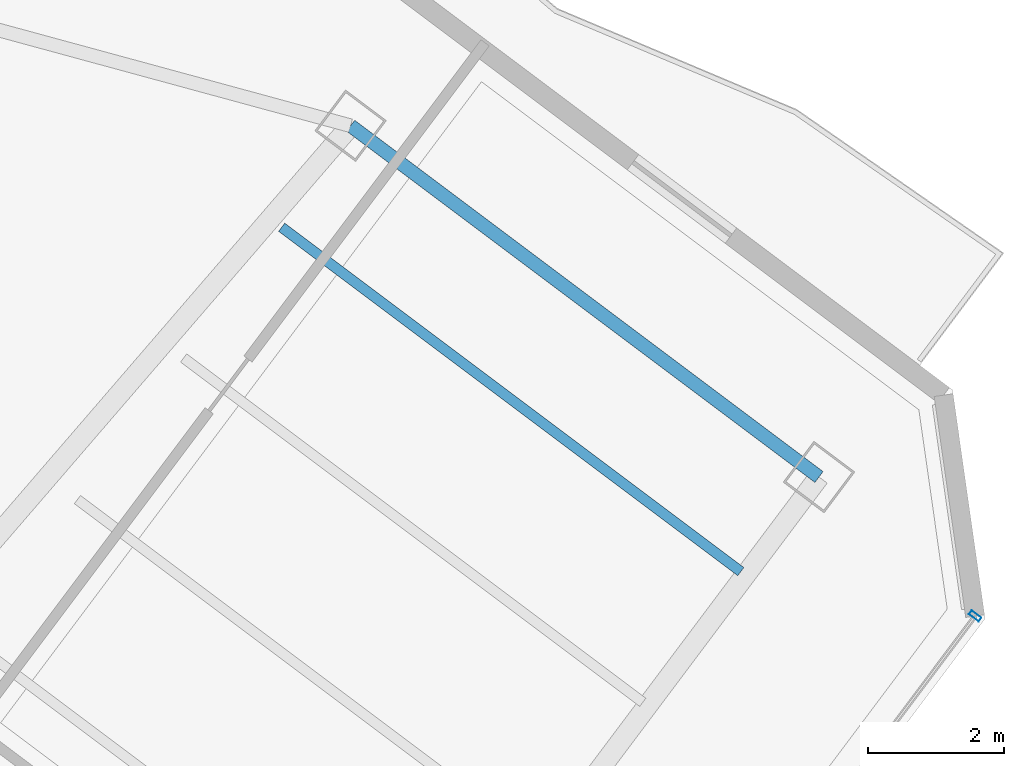
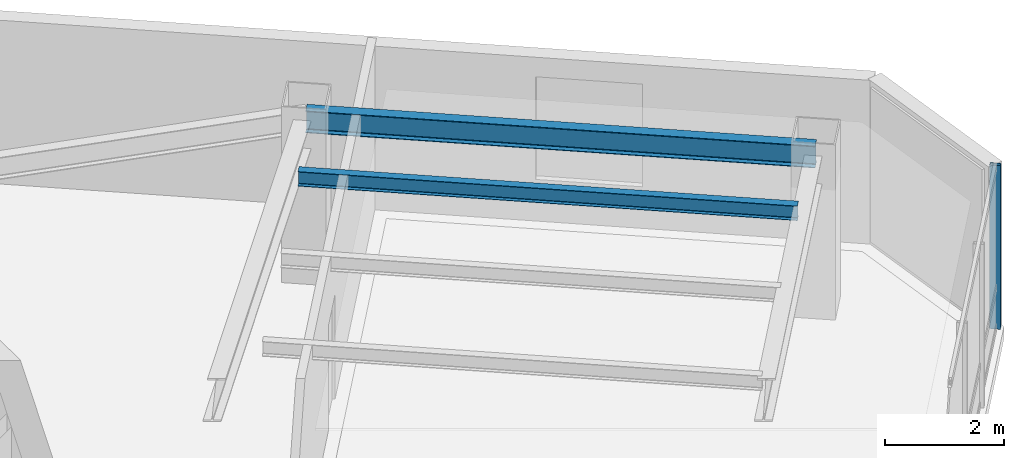
# One storey, part 14 of 24: 2 beams, 1 member, 1 element without a shape of its own.
"""IFC4 building model written with IfcOpenShell, lengths in metres."""

from ifc_helpers import new_model, si_unit, direction, frame, origin, origin_2d, place, context, subcontext, project, spatial, hollow_rectangle, i_section, extrude, material, layer, layer_set, material_profile, profile_set, type_object, element, aggregate, save


model = new_model("IFC4")

# Units and contexts
model_context = context("Model", 3, precision=1e-05, world=origin(), true_north=direction((0.0, 1.0)))
body_context = subcontext(model_context, "Body", "Model", "MODEL_VIEW")
ifc_project = project(units=[si_unit("LENGTHUNIT", "METRE"), si_unit("AREAUNIT", "SQUARE_METRE"), si_unit("VOLUMEUNIT", "CUBIC_METRE"), si_unit("PLANEANGLEUNIT", "RADIAN"), si_unit("MASSUNIT", "GRAM", prefix="KILO")], contexts=[model_context])

# Site, building, storey
site_placement = place(None, origin())
site = spatial("IfcSite", under=ifc_project, at=site_placement, CompositionType="ELEMENT")
building_placement = place(site_placement, origin())
building = spatial("IfcBuilding", under=site, at=building_placement, Name="Hatsunagi Terrace Concourse", CompositionType="ELEMENT")
storey_placement = place(building_placement, frame((0.0, 0.0, 202.35009765625)))
storey = spatial("IfcBuildingStorey", under=building, at=storey_placement, Name="L53", CompositionType="ELEMENT", Elevation=202.35009765625)

# Curtain wall, member
ifc_material_1 = material(Name="Anodised Aluminium Alloy 6063-T5", Category="aluminium")
ifc_layer = layer(ifc_material_1, 0.199951171875)
ifc_layer_set = layer_set([ifc_layer], Name="OfficeZone2_CW04")
curtain_wall_type = type_object("IfcCurtainWallType", Name="OfficeZone2_CW04", PredefinedType="NOTDEFINED", material=ifc_layer_set)
curtain_wall_placement = place(storey_placement, origin())
curtain_wall = element("IfcCurtainWall", 1, at=curtain_wall_placement, inside=storey, type_object=curtain_wall_type, Name="Unitised Curtain Wall CW-04 CW-L53-03", PredefinedType="NOTDEFINED")
ifc_material_2 = material(Name="Anodised Aluminium Alloy 6063-T5", Category="aluminium")
ifc_material_profile_1 = material_profile(ifc_material_2, hollow_rectangle(XDim=0.070068359375, YDim=0.179931640625, WallThickness=0.00390625, at=origin_2d()), Name="ALU-MUL-180x70x4")
ifc_profile_set_1 = profile_set([ifc_material_profile_1], Name="Anodised Aluminium Alloy 6063-T5")
member_type = type_object("IfcMemberType", Name="CurtainWallMullion_180x70", PredefinedType="MULLION", material=ifc_profile_set_1)
member_placement = place(storey_placement, frame((60.693115234375, 25.9580078125, 0.0), z_axis=(0.0, 0.0, 1.0), x_axis=(-0.599969314634, -0.800023013105, 0.0)))
member = element("IfcMember", 2, at=member_placement, type_object=member_type, Name="Curtain Wall Mullion MUL-02", PredefinedType="MULLION", context=body_context, shape_type="SweptSolid", body=[
    extrude(hollow_rectangle(XDim=0.070068359375, YDim=0.179931640625, WallThickness=0.00390625, at=origin_2d()), origin(), (0.0, 0.0, 1.0), 3.349853515625),
])
aggregate(curtain_wall, [member])

# Beams
ifc_material_3 = material(Name="Steel SN490B", Category="steel")
ifc_material_profile_2 = material_profile(ifc_material_3, i_section(OverallWidth=0.14990234375, OverallDepth=0.300048828125, WebThickness=0.006591796875, FlangeThickness=0.009033203125, FilletRadius=0.010986328125, at=origin_2d()), Name="H-300x150x6.5x9")
ifc_profile_set_2 = profile_set([ifc_material_profile_2], Name="Steel SN490B")
beam_type_1 = type_object("IfcBeamType", Name="OfficeJoist_H_300x150", PredefinedType="JOIST", material=ifc_profile_set_2)
beam_1_placement = place(storey_placement, frame((50.508056640625, 31.6689453125, 3.199951171875), z_axis=(0.800003475366, -0.59999536615, 0.0), x_axis=(0.59999536615, 0.800003475366, 0.0)))
element("IfcBeam", 3, at=beam_1_placement, inside=storey, type_object=beam_type_1, Name="Beam J-03 J-L53-SE-2-218", PredefinedType="JOIST", context=body_context, shape_type="SweptSolid", body=[
    extrude(i_section(OverallWidth=0.14990234375, OverallDepth=0.300048828125, WebThickness=0.006591796875, FlangeThickness=0.009033203125, FilletRadius=0.010986328125, at=origin_2d()), origin(), (0.0, 0.0, 1.0), 8.429931640625),
])
ifc_material_4 = material(Name="Steel SN490B", Category="steel")
ifc_material_profile_3 = material_profile(ifc_material_4, i_section(OverallWidth=0.199951171875, OverallDepth=0.449951171875, WebThickness=0.009033203125, FlangeThickness=0.013916015625, FilletRadius=0.01611328125, at=origin_2d()), Name="H-450x200x9x14")
ifc_profile_set_3 = profile_set([ifc_material_profile_3], Name="Steel SN490B")
beam_type_2 = type_object("IfcBeamType", Name="PerimeterSpandrel_H_450x200", PredefinedType="SPANDREL", material=ifc_profile_set_3)
beam_2_placement = place(storey_placement, frame((51.52001953125, 33.159912109375, 3.125), z_axis=(0.8, -0.6, 0.0), x_axis=(0.6, 0.8, 0.0)))
element("IfcBeam", 4, at=beam_2_placement, inside=storey, type_object=beam_type_2, Name="Beam SP-02 BM-L53-SE-NE2", PredefinedType="SPANDREL", context=body_context, shape_type="SweptSolid", body=[
    extrude(i_section(OverallWidth=0.199951171875, OverallDepth=0.449951171875, WebThickness=0.009033203125, FlangeThickness=0.013916015625, FilletRadius=0.01611328125, at=origin_2d()), origin(), (0.0, 0.0, 1.0), 8.599853515625),
])

save(model, "model.ifc")
